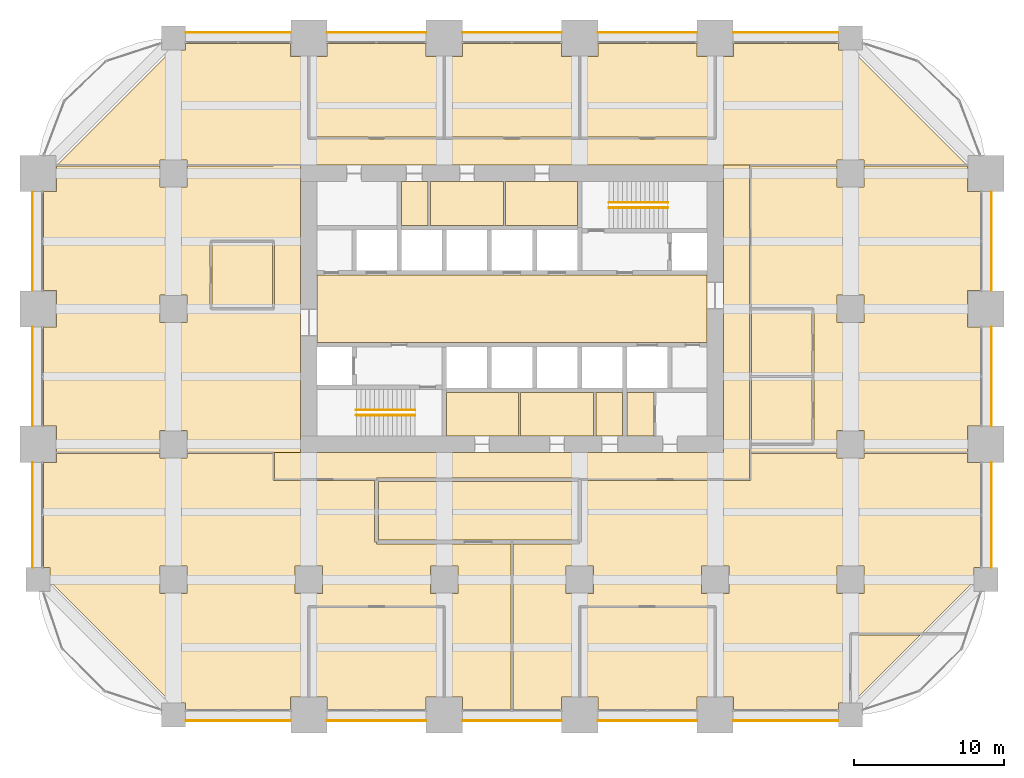
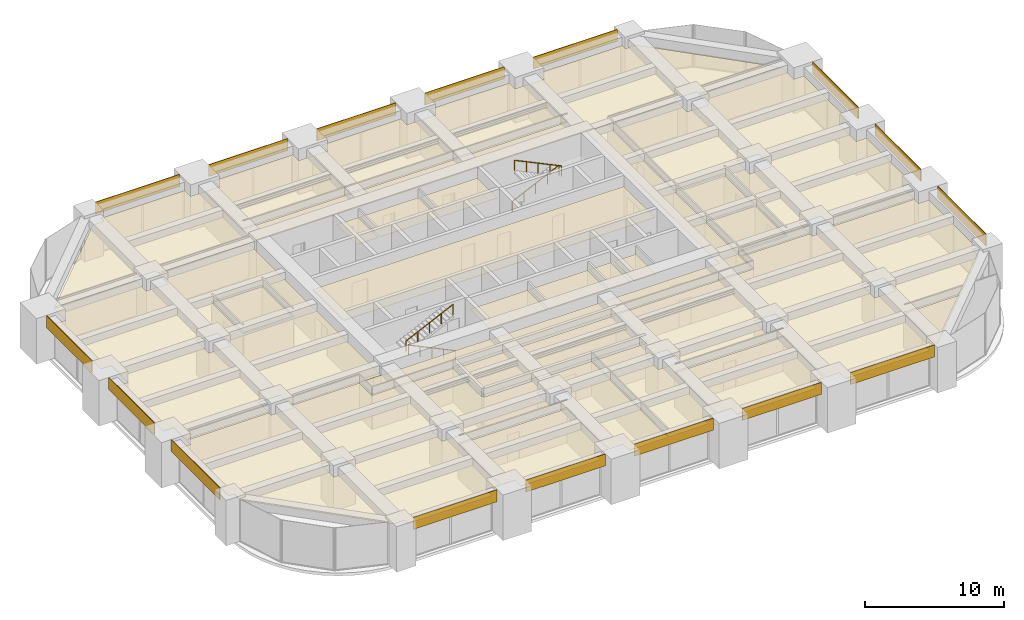
# One storey, part 39 of 39: 40 coverings, 4 railings.
"""IFC4 building model written with IfcOpenShell, lengths in metres."""

from ifc_helpers import new_model, si_unit, direction, frame, frame_2d, origin, origin_2d, place, context, subcontext, project, spatial, polyline, rectangle, circle, outline, extrude, material, layer, layer_set, type_object, element, save


model = new_model("IFC4")

# Units and contexts
model_context = context("Model", 3, precision=1e-05, world=origin(), true_north=direction((0.0, 1.0)))
body_context = subcontext(model_context, "Body", "Model", "MODEL_VIEW")
ifc_project = project(units=[si_unit("LENGTHUNIT", "METRE"), si_unit("AREAUNIT", "SQUARE_METRE"), si_unit("VOLUMEUNIT", "CUBIC_METRE"), si_unit("PLANEANGLEUNIT", "RADIAN"), si_unit("MASSUNIT", "GRAM", prefix="KILO")], contexts=[model_context])

# Site, building, storey
site_placement = place(None, origin())
site = spatial("IfcSite", under=ifc_project, at=site_placement, CompositionType="ELEMENT")
building_placement = place(site_placement, origin())
building = spatial("IfcBuilding", under=site, at=building_placement, Name="Zorevar Civic Tower", CompositionType="ELEMENT")
storey_placement = place(building_placement, frame((0.0, 0.0, 125.0)))
storey = spatial("IfcBuildingStorey", under=building, at=storey_placement, Name="L30", CompositionType="ELEMENT", Elevation=125.0)

# Railings
ifc_material_1 = material(Name="Black steel handrail", Category="steel")
railing_type = type_object("IfcRailingType", Name="Handrail HR1 900", PredefinedType="HANDRAIL", material=ifc_material_1)
railing_1_placement = place(storey_placement, frame((25.050048828125, 19.925048828125, 0.142822265625)))
element("IfcRailing", 1, at=railing_1_placement, inside=storey, type_object=railing_type, Name="Handrail HR1 ST1 L30", PredefinedType="HANDRAIL", context=body_context, shape_type="SweptSolid", body=[
    extrude(circle(Radius=0.02392578125, at=origin_2d()), frame((0.0, 0.0, 0.8759765625), z_axis=(-0.902863652845, 0.0, 0.429926998885), x_axis=(0.0, -1.0, 0.0)), (0.0, 0.0, 1.0), 4.31982421875),
    extrude(circle(Radius=0.02099609375, at=origin_2d()), origin(), (0.0, 0.0, 1.0), 0.851806640625),
    extrude(circle(Radius=0.02099609375, at=origin_2d()), frame((-0.97509765625, 0.0, 0.46435546875)), (0.0, 0.0, 1.0), 0.851806640625),
    extrude(circle(Radius=0.02099609375, at=origin_2d()), frame((-1.9501953125, 0.0, 0.9287109375)), (0.0, 0.0, 1.0), 0.851806640625),
    extrude(circle(Radius=0.02099609375, at=origin_2d()), frame((-2.925048828125, 0.0, 1.392822265625)), (0.0, 0.0, 1.0), 0.851806640625),
    extrude(circle(Radius=0.02099609375, at=origin_2d()), frame((-3.900146484375, 0.0, 1.857177734375)), (0.0, 0.0, 1.0), 0.851806640625),
])
for number, where, name in (
    (2, (21.14990234375, 20.27490234375, 2.142822265625), "Handrail HR1 ST1 L30"),
    (3, (37.949951171875, 34.074951171875, 0.142822265625), "Handrail HR1 ST2 L30"),
):
    element("IfcRailing", number, at=place(storey_placement, frame(where)), inside=storey, type_object=railing_type, Name=name, PredefinedType="HANDRAIL", context=body_context, shape_type="SweptSolid", body=[
        extrude(circle(Radius=0.02392578125, at=origin_2d()), frame((0.0, 0.0, 0.8759765625), z_axis=(0.902863652845, 0.0, 0.429926998885), x_axis=(0.0, 1.0, 0.0)), (0.0, 0.0, 1.0), 4.31982421875),
        extrude(circle(Radius=0.02099609375, at=origin_2d()), origin(), (0.0, 0.0, 1.0), 0.851806640625),
        extrude(circle(Radius=0.02099609375, at=origin_2d()), frame((0.97509765625, 0.0, 0.46435546875)), (0.0, 0.0, 1.0), 0.851806640625),
        extrude(circle(Radius=0.02099609375, at=origin_2d()), frame((1.9501953125, 0.0, 0.9287109375)), (0.0, 0.0, 1.0), 0.851806640625),
        extrude(circle(Radius=0.02099609375, at=origin_2d()), frame((2.925048828125, 0.0, 1.392822265625)), (0.0, 0.0, 1.0), 0.851806640625),
        extrude(circle(Radius=0.02099609375, at=origin_2d()), frame((3.900146484375, 0.0, 1.857177734375)), (0.0, 0.0, 1.0), 0.851806640625),
    ])
railing_2_placement = place(storey_placement, frame((41.85009765625, 33.72509765625, 2.142822265625)))
element("IfcRailing", 4, at=railing_2_placement, inside=storey, type_object=railing_type, Name="Handrail HR1 ST2 L30", PredefinedType="HANDRAIL", context=body_context, shape_type="SweptSolid", body=[
    extrude(circle(Radius=0.02392578125, at=origin_2d()), frame((0.0, 0.0, 0.8759765625), z_axis=(-0.902863652845, 0.0, 0.429926998885), x_axis=(0.0, -1.0, 0.0)), (0.0, 0.0, 1.0), 4.31982421875),
    extrude(circle(Radius=0.02099609375, at=origin_2d()), origin(), (0.0, 0.0, 1.0), 0.851806640625),
    extrude(circle(Radius=0.02099609375, at=origin_2d()), frame((-0.97509765625, 0.0, 0.46435546875)), (0.0, 0.0, 1.0), 0.851806640625),
    extrude(circle(Radius=0.02099609375, at=origin_2d()), frame((-1.9501953125, 0.0, 0.9287109375)), (0.0, 0.0, 1.0), 0.851806640625),
    extrude(circle(Radius=0.02099609375, at=origin_2d()), frame((-2.925048828125, 0.0, 1.392822265625)), (0.0, 0.0, 1.0), 0.851806640625),
    extrude(circle(Radius=0.02099609375, at=origin_2d()), frame((-3.900146484375, 0.0, 1.857177734375)), (0.0, 0.0, 1.0), 0.851806640625),
])

# Coverings
ifc_material_2 = material(Name="Moisture-resistant gypsum board")
ifc_layer_1 = layer(ifc_material_2, 0.012451171875)
ifc_layer_set_1 = layer_set([ifc_layer_1], Name="Moisture-resistant ceiling SC3")
covering_type_1 = type_object("IfcCoveringType", Name="Moisture-resistant ceiling SC3", PredefinedType="CEILING", material=ifc_layer_set_1)
covering_1_placement = place(storey_placement, frame((0.0, 0.0, 3.0)))
element("IfcCovering", 5, at=covering_1_placement, inside=storey, type_object=covering_type_1, Name="Ceiling L30-05", PredefinedType="CEILING", context=body_context, shape_type="SweptSolid", body=[
    extrude(outline(polyline([(31.925048828125, 18.550048828125), (31.925048828125, 21.449951171875), (27.14990234375, 21.449951171875), (27.14990234375, 18.550048828125), (31.925048828125, 18.550048828125)])), origin(), (0.0, 0.0, 1.0), 0.012451171875),
])
covering_2_placement = place(storey_placement, frame((0.0, 0.0, 3.0)))
element("IfcCovering", 6, at=covering_2_placement, inside=storey, type_object=covering_type_1, Name="Ceiling L30-06", PredefinedType="CEILING", context=body_context, shape_type="SweptSolid", body=[
    extrude(outline(polyline([(36.925048828125, 18.550048828125), (36.925048828125, 21.449951171875), (32.074951171875, 21.449951171875), (32.074951171875, 18.550048828125), (36.925048828125, 18.550048828125)])), origin(), (0.0, 0.0, 1.0), 0.012451171875),
])
covering_3_placement = place(storey_placement, frame((0.0, 0.0, 3.0)))
element("IfcCovering", 7, at=covering_3_placement, inside=storey, type_object=covering_type_1, Name="Ceiling L30-07", PredefinedType="CEILING", context=body_context, shape_type="SweptSolid", body=[
    extrude(outline(polyline([(38.85009765625, 18.550048828125), (38.85009765625, 21.449951171875), (37.074951171875, 21.449951171875), (37.074951171875, 18.550048828125), (38.85009765625, 18.550048828125)])), origin(), (0.0, 0.0, 1.0), 0.012451171875),
])
covering_4_placement = place(storey_placement, frame((0.0, 0.0, 3.0)))
element("IfcCovering", 8, at=covering_4_placement, inside=storey, type_object=covering_type_1, Name="Ceiling L30-08", PredefinedType="CEILING", context=body_context, shape_type="SweptSolid", body=[
    extrude(outline(polyline([(35.85009765625, 32.550048828125), (35.85009765625, 35.449951171875), (31.074951171875, 35.449951171875), (31.074951171875, 32.550048828125), (35.85009765625, 32.550048828125)])), origin(), (0.0, 0.0, 1.0), 0.012451171875),
])
covering_5_placement = place(storey_placement, frame((0.0, 0.0, 3.0)))
element("IfcCovering", 9, at=covering_5_placement, inside=storey, type_object=covering_type_1, Name="Ceiling L30-09", PredefinedType="CEILING", context=body_context, shape_type="SweptSolid", body=[
    extrude(outline(polyline([(30.925048828125, 32.550048828125), (30.925048828125, 35.449951171875), (26.074951171875, 35.449951171875), (26.074951171875, 32.550048828125), (30.925048828125, 32.550048828125)])), origin(), (0.0, 0.0, 1.0), 0.012451171875),
])
covering_6_placement = place(storey_placement, frame((0.0, 0.0, 3.0)))
element("IfcCovering", 10, at=covering_6_placement, inside=storey, type_object=covering_type_1, Name="Ceiling L30-10", PredefinedType="CEILING", context=body_context, shape_type="SweptSolid", body=[
    extrude(outline(polyline([(25.925048828125, 32.550048828125), (25.925048828125, 35.449951171875), (24.14990234375, 35.449951171875), (24.14990234375, 32.550048828125), (25.925048828125, 32.550048828125)])), origin(), (0.0, 0.0, 1.0), 0.012451171875),
])
ifc_material_3 = material(Name="Black anodised aluminium spandrel panel", Category="aluminium")
ifc_layer_2 = layer(ifc_material_3, 0.050048828125)
ifc_layer_set_2 = layer_set([ifc_layer_2], Name="Spandrel cladding SP1")
covering_type_2 = type_object("IfcCoveringType", Name="Spandrel cladding SP1", PredefinedType="CLADDING", material=ifc_layer_set_2)
covering_7_placement = place(storey_placement, frame((9.800048828125, -0.375, 2.949951171875), z_axis=(0.0, 0.0, 1.0), x_axis=(1.0, 0.0, 0.0)))
element("IfcCovering", 11, at=covering_7_placement, inside=storey, type_object=covering_type_2, Name="Spandrel cladding L31", PredefinedType="CLADDING", context=body_context, shape_type="SweptSolid", body=[
    extrude(rectangle(XDim=7.0, YDim=0.050048828125, at=frame_2d((3.5, 0.0))), origin(), (0.0, 0.0, 1.0), 1.050048828125),
])
for number, where, z_axis, x_axis, name in (
    (12, (19.199951171875, -0.375, 2.949951171875), (0.0, 0.0, 1.0), (1.0, 0.0, 0.0), "Spandrel cladding L31"),
    (13, (28.199951171875, -0.375, 2.949951171875), (0.0, 0.0, 1.0), (1.0, 0.0, 0.0), "Spandrel cladding L31"),
    (14, (37.199951171875, -0.375, 2.949951171875), (0.0, 0.0, 1.0), (1.0, 0.0, 0.0), "Spandrel cladding L31"),
):
    element("IfcCovering", number, at=place(storey_placement, frame(where, z_axis=z_axis, x_axis=x_axis)), inside=storey, type_object=covering_type_2, Name=name, PredefinedType="CLADDING", context=body_context, shape_type="SweptSolid", body=[
        extrude(rectangle(XDim=6.60009765625, YDim=0.050048828125, at=frame_2d((3.300048828125, 0.0))), origin(), (0.0, 0.0, 1.0), 1.050048828125),
    ])
for number, where, z_axis, x_axis, name in (
    (15, (46.199951171875, -0.375, 2.949951171875), (0.0, 0.0, 1.0), (1.0, 0.0, 0.0), "Spandrel cladding L31"),
    (16, (9.800048828125, 45.375, 2.949951171875), (0.0, 0.0, 1.0), (1.0, 0.0, 0.0), "Spandrel cladding L31"),
):
    element("IfcCovering", number, at=place(storey_placement, frame(where, z_axis=z_axis, x_axis=x_axis)), inside=storey, type_object=covering_type_2, Name=name, PredefinedType="CLADDING", context=body_context, shape_type="SweptSolid", body=[
        extrude(rectangle(XDim=7.0, YDim=0.050048828125, at=frame_2d((3.5, 0.0))), origin(), (0.0, 0.0, 1.0), 1.050048828125),
    ])
for number, where, z_axis, x_axis, name in (
    (17, (19.199951171875, 45.375, 2.949951171875), (0.0, 0.0, 1.0), (1.0, 0.0, 0.0), "Spandrel cladding L31"),
    (18, (28.199951171875, 45.375, 2.949951171875), (0.0, 0.0, 1.0), (1.0, 0.0, 0.0), "Spandrel cladding L31"),
    (19, (37.199951171875, 45.375, 2.949951171875), (0.0, 0.0, 1.0), (1.0, 0.0, 0.0), "Spandrel cladding L31"),
):
    element("IfcCovering", number, at=place(storey_placement, frame(where, z_axis=z_axis, x_axis=x_axis)), inside=storey, type_object=covering_type_2, Name=name, PredefinedType="CLADDING", context=body_context, shape_type="SweptSolid", body=[
        extrude(rectangle(XDim=6.60009765625, YDim=0.050048828125, at=frame_2d((3.300048828125, 0.0))), origin(), (0.0, 0.0, 1.0), 1.050048828125),
    ])
for number, where, z_axis, x_axis, name in (
    (20, (46.199951171875, 45.375, 2.949951171875), (0.0, 0.0, 1.0), (1.0, 0.0, 0.0), "Spandrel cladding L31"),
    (21, (-0.375, 9.800048828125, 2.949951171875), (0.0, 0.0, 1.0), (0.0, 1.0, 0.0), "Spandrel cladding L31"),
):
    element("IfcCovering", number, at=place(storey_placement, frame(where, z_axis=z_axis, x_axis=x_axis)), inside=storey, type_object=covering_type_2, Name=name, PredefinedType="CLADDING", context=body_context, shape_type="SweptSolid", body=[
        extrude(rectangle(XDim=7.0, YDim=0.050048828125, at=frame_2d((3.5, 0.0))), origin(), (0.0, 0.0, 1.0), 1.050048828125),
    ])
for number, where, z_axis, x_axis, name in (
    (22, (-0.375, 19.199951171875, 2.949951171875), (0.0, 0.0, 1.0), (0.0, 1.0, 0.0), "Spandrel cladding L31"),
    (23, (-0.375, 28.199951171875, 2.949951171875), (0.0, 0.0, 1.0), (0.0, 1.0, 0.0), "Spandrel cladding L31"),
):
    element("IfcCovering", number, at=place(storey_placement, frame(where, z_axis=z_axis, x_axis=x_axis)), inside=storey, type_object=covering_type_2, Name=name, PredefinedType="CLADDING", context=body_context, shape_type="SweptSolid", body=[
        extrude(rectangle(XDim=6.60009765625, YDim=0.050048828125, at=frame_2d((3.300048828125, 0.0))), origin(), (0.0, 0.0, 1.0), 1.050048828125),
    ])
covering_8_placement = place(storey_placement, frame((63.375, 9.800048828125, 2.949951171875), z_axis=(0.0, 0.0, 1.0), x_axis=(0.0, 1.0, 0.0)))
element("IfcCovering", 24, at=covering_8_placement, inside=storey, type_object=covering_type_2, Name="Spandrel cladding L31", PredefinedType="CLADDING", context=body_context, shape_type="SweptSolid", body=[
    extrude(rectangle(XDim=7.0, YDim=0.050048828125, at=frame_2d((3.5, 0.0))), origin(), (0.0, 0.0, 1.0), 1.050048828125),
])
for number, where, z_axis, x_axis, name in (
    (25, (63.375, 19.199951171875, 2.949951171875), (0.0, 0.0, 1.0), (0.0, 1.0, 0.0), "Spandrel cladding L31"),
    (26, (63.375, 28.199951171875, 2.949951171875), (0.0, 0.0, 1.0), (0.0, 1.0, 0.0), "Spandrel cladding L31"),
):
    element("IfcCovering", number, at=place(storey_placement, frame(where, z_axis=z_axis, x_axis=x_axis)), inside=storey, type_object=covering_type_2, Name=name, PredefinedType="CLADDING", context=body_context, shape_type="SweptSolid", body=[
        extrude(rectangle(XDim=6.60009765625, YDim=0.050048828125, at=frame_2d((3.300048828125, 0.0))), origin(), (0.0, 0.0, 1.0), 1.050048828125),
    ])
ifc_material_4 = material(Name="Mineral fibre tiles on a concealed grid")
ifc_layer_3 = layer(ifc_material_4, 0.02001953125)
ifc_layer_set_3 = layer_set([ifc_layer_3], Name="Suspended ceiling SC1")
covering_type_3 = type_object("IfcCoveringType", Name="Suspended ceiling SC1", PredefinedType="CEILING", material=ifc_layer_set_3)
covering_9_placement = place(storey_placement, frame((0.0, 0.0, 3.0)))
element("IfcCovering", 27, at=covering_9_placement, inside=storey, type_object=covering_type_3, Name="Ceiling L30-11", PredefinedType="CEILING", context=body_context, shape_type="SweptSolid", body=[
    extrude(outline(polyline([(40.93994140625, 18.550048828125), (40.93994140625, 21.449951171875), (39.14990234375, 21.449951171875), (39.14990234375, 18.550048828125), (40.93994140625, 18.550048828125)])), origin(), (0.0, 0.0, 1.0), 0.02001953125),
])
covering_10_placement = place(storey_placement, frame((0.0, 0.0, 3.0)))
element("IfcCovering", 28, at=covering_10_placement, inside=storey, type_object=covering_type_3, Name="Ceiling L30-16", PredefinedType="CEILING", context=body_context, shape_type="SweptSolid", body=[
    extrude(outline(polyline([(44.449951171875, 24.75), (44.449951171875, 29.25), (18.550048828125, 29.25), (18.550048828125, 24.75), (44.449951171875, 24.75)])), origin(), (0.0, 0.0, 1.0), 0.02001953125),
])
covering_11_placement = place(storey_placement, frame((0.0, 0.0, 3.0)))
element("IfcCovering", 29, at=covering_11_placement, inside=storey, type_object=covering_type_3, Name="Ceiling L30-17", PredefinedType="CEILING", context=body_context, shape_type="SweptSolid", body=[
    extrude(outline(polyline([(19.2099609375, 0.35009765625), (19.2099609375, 1.2099609375), (18.06005859375, 1.2099609375), (18.06005859375, 7.139892578125), (26.93994140625, 7.139892578125), (26.93994140625, 1.2099609375), (25.7900390625, 1.2099609375), (25.7900390625, 0.35009765625), (19.2099609375, 0.35009765625)])), origin(), (0.0, 0.0, 1.0), 0.02001953125),
])
covering_12_placement = place(storey_placement, frame((0.0, 0.0, 3.0)))
element("IfcCovering", 30, at=covering_12_placement, inside=storey, type_object=covering_type_3, Name="Ceiling L30-18", PredefinedType="CEILING", context=body_context, shape_type="SweptSolid", body=[
    extrude(outline(polyline([(37.2099609375, 0.35009765625), (37.2099609375, 1.2099609375), (36.06005859375, 1.2099609375), (36.06005859375, 7.139892578125), (44.93994140625, 7.139892578125), (44.93994140625, 1.2099609375), (43.7900390625, 1.2099609375), (43.7900390625, 0.35009765625), (37.2099609375, 0.35009765625)])), origin(), (0.0, 0.0, 1.0), 0.02001953125),
])
covering_13_placement = place(storey_placement, frame((0.0, 0.0, 3.0)))
element("IfcCovering", 31, at=covering_13_placement, inside=storey, type_object=covering_type_3, Name="Ceiling L30-19", PredefinedType="CEILING", context=body_context, shape_type="SweptSolid", body=[
    extrude(outline(polyline([(22.625, 15.52490234375), (35.875, 15.52490234375), (35.875, 11.625), (22.625, 11.625), (22.625, 15.52490234375)])), origin(), (0.0, 0.0, 1.0), 0.02001953125),
])
covering_14_placement = place(storey_placement, frame((0.0, 0.0, 3.0)))
element("IfcCovering", 32, at=covering_14_placement, inside=storey, type_object=covering_type_3, Name="Ceiling L30-20", PredefinedType="CEILING", context=body_context, shape_type="SweptSolid", body=[
    extrude(outline(polyline([(19.2099609375, 43.7900390625), (19.2099609375, 44.64990234375), (25.7900390625, 44.64990234375), (25.7900390625, 43.7900390625), (26.93994140625, 43.7900390625), (26.93994140625, 38.409912109375), (18.06005859375, 38.409912109375), (18.06005859375, 43.7900390625), (19.2099609375, 43.7900390625)])), origin(), (0.0, 0.0, 1.0), 0.02001953125),
])
covering_15_placement = place(storey_placement, frame((0.0, 0.0, 3.0)))
element("IfcCovering", 33, at=covering_15_placement, inside=storey, type_object=covering_type_3, Name="Ceiling L30-21", PredefinedType="CEILING", context=body_context, shape_type="SweptSolid", body=[
    extrude(outline(polyline([(28.2099609375, 43.7900390625), (28.2099609375, 44.64990234375), (34.7900390625, 44.64990234375), (34.7900390625, 43.7900390625), (35.93994140625, 43.7900390625), (35.93994140625, 38.409912109375), (27.06005859375, 38.409912109375), (27.06005859375, 43.7900390625), (28.2099609375, 43.7900390625)])), origin(), (0.0, 0.0, 1.0), 0.02001953125),
])
covering_16_placement = place(storey_placement, frame((0.0, 0.0, 3.0)))
element("IfcCovering", 34, at=covering_16_placement, inside=storey, type_object=covering_type_3, Name="Ceiling L30-22", PredefinedType="CEILING", context=body_context, shape_type="SweptSolid", body=[
    extrude(outline(polyline([(37.2099609375, 43.7900390625), (37.2099609375, 44.64990234375), (43.7900390625, 44.64990234375), (43.7900390625, 43.7900390625), (44.93994140625, 43.7900390625), (44.93994140625, 38.409912109375), (36.06005859375, 38.409912109375), (36.06005859375, 43.7900390625), (37.2099609375, 43.7900390625)])), origin(), (0.0, 0.0, 1.0), 0.02001953125),
])
covering_17_placement = place(storey_placement, frame((0.0, 0.0, 3.0)))
element("IfcCovering", 35, at=covering_17_placement, inside=storey, type_object=covering_type_3, Name="Ceiling L30-23", PredefinedType="CEILING", context=body_context, shape_type="SweptSolid", body=[
    extrude(outline(polyline([(11.56005859375, 31.43994140625), (15.590087890625, 31.43994140625), (15.590087890625, 27.06005859375), (11.56005859375, 27.06005859375), (11.56005859375, 31.43994140625)])), origin(), (0.0, 0.0, 1.0), 0.02001953125),
])
covering_18_placement = place(storey_placement, frame((0.0, 0.0, 3.0)))
element("IfcCovering", 36, at=covering_18_placement, inside=storey, type_object=covering_type_3, Name="Ceiling L30-24", PredefinedType="CEILING", context=body_context, shape_type="SweptSolid", body=[
    extrude(outline(polyline([(51.43994140625, 18.06005859375), (47.409912109375, 18.06005859375), (47.409912109375, 22.43994140625), (51.43994140625, 22.43994140625), (51.43994140625, 18.06005859375)])), origin(), (0.0, 0.0, 1.0), 0.02001953125),
])
covering_19_placement = place(storey_placement, frame((0.0, 0.0, 3.0)))
element("IfcCovering", 37, at=covering_19_placement, inside=storey, type_object=covering_type_3, Name="Ceiling L30-25", PredefinedType="CEILING", context=body_context, shape_type="SweptSolid", body=[
    extrude(outline(polyline([(51.43994140625, 26.93994140625), (51.43994140625, 22.56005859375), (47.409912109375, 22.56005859375), (47.409912109375, 26.93994140625), (51.43994140625, 26.93994140625)])), origin(), (0.0, 0.0, 1.0), 0.02001953125),
])
covering_20_placement = place(storey_placement, frame((0.0, 0.0, 3.0)))
element("IfcCovering", 38, at=covering_20_placement, inside=storey, type_object=covering_type_3, Name="Ceiling L30-26", PredefinedType="CEILING", context=body_context, shape_type="SweptSolid", body=[
    extrude(outline(polyline([(54.06005859375, 0.81005859375), (54.06005859375, 5.340087890625), (58.6328125, 5.340087890625), (54.102783203125, 0.81005859375), (54.06005859375, 0.81005859375)])), origin(), (0.0, 0.0, 1.0), 0.02001953125),
])
covering_21_placement = place(storey_placement, frame((0.0, 0.0, 3.0)))
element("IfcCovering", 39, at=covering_21_placement, inside=storey, type_object=covering_type_3, Name="Ceiling L30-27", PredefinedType="CEILING", context=body_context, shape_type="SweptSolid", body=[
    extrude(outline(polyline([(47.300048828125, 27.0), (47.2900390625, 27.0), (47.2900390625, 18.0), (47.300048828125, 18.0), (47.300048828125, 15.699951171875), (36.0, 15.699951171875), (36.0, 15.77490234375), (22.5, 15.77490234375), (22.5, 15.699951171875), (15.699951171875, 15.699951171875), (15.699951171875, 17.449951171875), (45.550048828125, 17.449951171875), (45.550048828125, 36.550048828125), (47.300048828125, 36.550048828125), (47.300048828125, 27.0)])), origin(), (0.0, 0.0, 1.0), 0.02001953125),
])
covering_22_placement = place(storey_placement, frame((0.0, 0.0, 3.0)))
element("IfcCovering", 40, at=covering_22_placement, inside=storey, type_object=covering_type_3, Name="Ceiling L30-28", PredefinedType="CEILING", context=body_context, shape_type="SweptSolid", body=[
    extrude(outline(polyline([(51.5, 27.06005859375), (47.39990234375, 27.06005859375), (47.39990234375, 36.5), (53.090087890625, 36.5), (53.090087890625, 35.090087890625), (54.909912109375, 35.090087890625), (54.909912109375, 36.5), (61.7900390625, 36.5), (61.7900390625, 34.7900390625), (62.64990234375, 34.7900390625), (62.64990234375, 28.2099609375), (61.7900390625, 28.2099609375), (61.7900390625, 25.7900390625), (62.64990234375, 25.7900390625), (62.64990234375, 19.2099609375), (61.7900390625, 19.2099609375), (61.7900390625, 17.5), (54.909912109375, 17.5), (54.909912109375, 18.909912109375), (53.090087890625, 18.909912109375), (53.090087890625, 17.5), (47.39990234375, 17.5), (47.39990234375, 17.93994140625), (51.5, 17.93994140625), (51.5, 18.0), (51.56005859375, 18.0), (51.56005859375, 27.0), (51.5, 27.0), (51.5, 27.06005859375)]), holes=[polyline([(54.909912109375, 27.909912109375), (53.090087890625, 27.909912109375), (53.090087890625, 26.090087890625), (54.909912109375, 26.090087890625), (54.909912109375, 27.909912109375)])]), origin(), (0.0, 0.0, 1.0), 0.02001953125),
])
covering_23_placement = place(storey_placement, frame((0.0, 0.0, 3.0)))
element("IfcCovering", 41, at=covering_23_placement, inside=storey, type_object=covering_type_3, Name="Ceiling L30-29", PredefinedType="CEILING", context=body_context, shape_type="SweptSolid", body=[
    extrude(outline(polyline([(16.7900390625, 44.64990234375), (16.7900390625, 43.7900390625), (17.93994140625, 43.7900390625), (17.93994140625, 38.35009765625), (18.0, 38.35009765625), (18.0, 38.2900390625), (45.0, 38.2900390625), (45.0, 38.35009765625), (45.06005859375, 38.35009765625), (45.06005859375, 43.7900390625), (46.2099609375, 43.7900390625), (46.2099609375, 44.64990234375), (53.18994140625, 44.64990234375), (53.18994140625, 44.18994140625), (54.102783203125, 44.18994140625), (61.69287109375, 36.60009765625), (54.909912109375, 36.60009765625), (54.909912109375, 36.909912109375), (53.090087890625, 36.909912109375), (53.090087890625, 36.60009765625), (47.35009765625, 36.60009765625), (47.35009765625, 36.550048828125), (15.64990234375, 36.550048828125), (15.64990234375, 36.60009765625), (9.909912109375, 36.60009765625), (9.909912109375, 36.909912109375), (8.090087890625, 36.909912109375), (8.090087890625, 36.60009765625), (1.30712890625, 36.60009765625), (8.897216796875, 44.18994140625), (9.81005859375, 44.18994140625), (9.81005859375, 44.64990234375), (16.7900390625, 44.64990234375)])), origin(), (0.0, 0.0, 1.0), 0.02001953125),
])
covering_24_placement = place(storey_placement, frame((0.0, 0.0, 3.0)))
element("IfcCovering", 42, at=covering_24_placement, inside=storey, type_object=covering_type_3, Name="Ceiling L30-30", PredefinedType="CEILING", context=body_context, shape_type="SweptSolid", body=[
    extrude(outline(polyline([(0.81005859375, 9.81005859375), (0.35009765625, 9.81005859375), (0.35009765625, 16.7900390625), (1.2099609375, 16.7900390625), (1.2099609375, 17.39990234375), (8.090087890625, 17.39990234375), (8.090087890625, 17.090087890625), (9.909912109375, 17.090087890625), (9.909912109375, 17.39990234375), (15.60009765625, 17.39990234375), (15.60009765625, 15.64990234375), (15.64990234375, 15.64990234375), (15.64990234375, 15.60009765625), (22.375, 15.60009765625), (22.375, 11.5), (22.5, 11.5), (22.5, 11.375), (31.449951171875, 11.375), (31.449951171875, 0.35009765625), (28.2099609375, 0.35009765625), (28.2099609375, 1.2099609375), (27.06005859375, 1.2099609375), (27.06005859375, 7.199951171875), (27.0, 7.199951171875), (27.0, 7.260009765625), (18.0, 7.260009765625), (18.0, 7.199951171875), (17.93994140625, 7.199951171875), (17.93994140625, 1.2099609375), (16.7900390625, 1.2099609375), (16.7900390625, 0.35009765625), (9.81005859375, 0.35009765625), (9.81005859375, 0.81005859375), (8.897216796875, 0.81005859375), (0.81005859375, 8.897216796875), (0.81005859375, 9.81005859375)]), holes=[polyline([(8.090087890625, 8.090087890625), (9.909912109375, 8.090087890625), (9.909912109375, 9.909912109375), (8.090087890625, 9.909912109375), (8.090087890625, 8.090087890625)]), polyline([(18.909912109375, 8.090087890625), (18.909912109375, 9.909912109375), (17.090087890625, 9.909912109375), (17.090087890625, 8.090087890625), (18.909912109375, 8.090087890625)]), polyline([(26.090087890625, 9.909912109375), (26.090087890625, 8.090087890625), (27.909912109375, 8.090087890625), (27.909912109375, 9.909912109375), (26.090087890625, 9.909912109375)])]), origin(), (0.0, 0.0, 1.0), 0.02001953125),
])
covering_25_placement = place(storey_placement, frame((0.0, 0.0, 3.0)))
element("IfcCovering", 43, at=covering_25_placement, inside=storey, type_object=covering_type_3, Name="Ceiling L30-31", PredefinedType="CEILING", context=body_context, shape_type="SweptSolid", body=[
    extrude(outline(polyline([(53.090087890625, 17.39990234375), (53.090087890625, 17.090087890625), (54.909912109375, 17.090087890625), (54.909912109375, 17.39990234375), (61.7900390625, 17.39990234375), (61.7900390625, 16.7900390625), (62.64990234375, 16.7900390625), (62.64990234375, 9.81005859375), (62.18994140625, 9.81005859375), (62.18994140625, 8.897216796875), (58.7529296875, 5.4599609375), (54.0, 5.4599609375), (54.0, 5.39990234375), (53.93994140625, 5.39990234375), (53.93994140625, 0.81005859375), (53.18994140625, 0.81005859375), (53.18994140625, 0.35009765625), (46.2099609375, 0.35009765625), (46.2099609375, 1.2099609375), (45.06005859375, 1.2099609375), (45.06005859375, 7.199951171875), (45.0, 7.199951171875), (45.0, 7.260009765625), (36.0, 7.260009765625), (36.0, 7.199951171875), (35.93994140625, 7.199951171875), (35.93994140625, 1.2099609375), (34.7900390625, 1.2099609375), (34.7900390625, 0.35009765625), (31.550048828125, 0.35009765625), (31.550048828125, 11.375), (36.0, 11.375), (36.0, 11.5), (36.125, 11.5), (36.125, 15.60009765625), (47.35009765625, 15.60009765625), (47.35009765625, 15.64990234375), (47.39990234375, 15.64990234375), (47.39990234375, 17.39990234375), (53.090087890625, 17.39990234375)]), holes=[polyline([(36.909912109375, 9.909912109375), (35.090087890625, 9.909912109375), (35.090087890625, 8.090087890625), (36.909912109375, 8.090087890625), (36.909912109375, 9.909912109375)]), polyline([(44.090087890625, 8.090087890625), (45.909912109375, 8.090087890625), (45.909912109375, 9.909912109375), (44.090087890625, 9.909912109375), (44.090087890625, 8.090087890625)]), polyline([(54.909912109375, 9.909912109375), (53.090087890625, 9.909912109375), (53.090087890625, 8.090087890625), (54.909912109375, 8.090087890625), (54.909912109375, 9.909912109375)])]), origin(), (0.0, 0.0, 1.0), 0.02001953125),
])
covering_26_placement = place(storey_placement, frame((0.0, 0.0, 3.0)))
element("IfcCovering", 44, at=covering_26_placement, inside=storey, type_object=covering_type_3, Name="Ceiling L30-32", PredefinedType="CEILING", context=body_context, shape_type="SweptSolid", body=[
    extrude(outline(polyline([(0.35009765625, 19.2099609375), (0.35009765625, 25.7900390625), (1.2099609375, 25.7900390625), (1.2099609375, 28.2099609375), (0.35009765625, 28.2099609375), (0.35009765625, 34.7900390625), (1.2099609375, 34.7900390625), (1.2099609375, 36.5), (8.090087890625, 36.5), (8.090087890625, 35.090087890625), (9.909912109375, 35.090087890625), (9.909912109375, 36.5), (15.64990234375, 36.5), (15.64990234375, 36.550048828125), (17.449951171875, 36.550048828125), (17.449951171875, 17.449951171875), (15.64990234375, 17.449951171875), (15.64990234375, 17.5), (9.909912109375, 17.5), (9.909912109375, 18.909912109375), (8.090087890625, 18.909912109375), (8.090087890625, 17.5), (1.2099609375, 17.5), (1.2099609375, 19.2099609375), (0.35009765625, 19.2099609375)]), holes=[polyline([(11.43994140625, 27.0), (11.5, 27.0), (11.5, 26.93994140625), (15.64990234375, 26.93994140625), (15.64990234375, 27.0), (15.7099609375, 27.0), (15.7099609375, 31.5), (15.64990234375, 31.5), (15.64990234375, 31.56005859375), (11.5, 31.56005859375), (11.5, 31.5), (11.43994140625, 31.5), (11.43994140625, 27.0)]), polyline([(8.090087890625, 27.909912109375), (8.090087890625, 26.090087890625), (9.909912109375, 26.090087890625), (9.909912109375, 27.909912109375), (8.090087890625, 27.909912109375)])]), origin(), (0.0, 0.0, 1.0), 0.02001953125),
])

save(model, "model.ifc")
